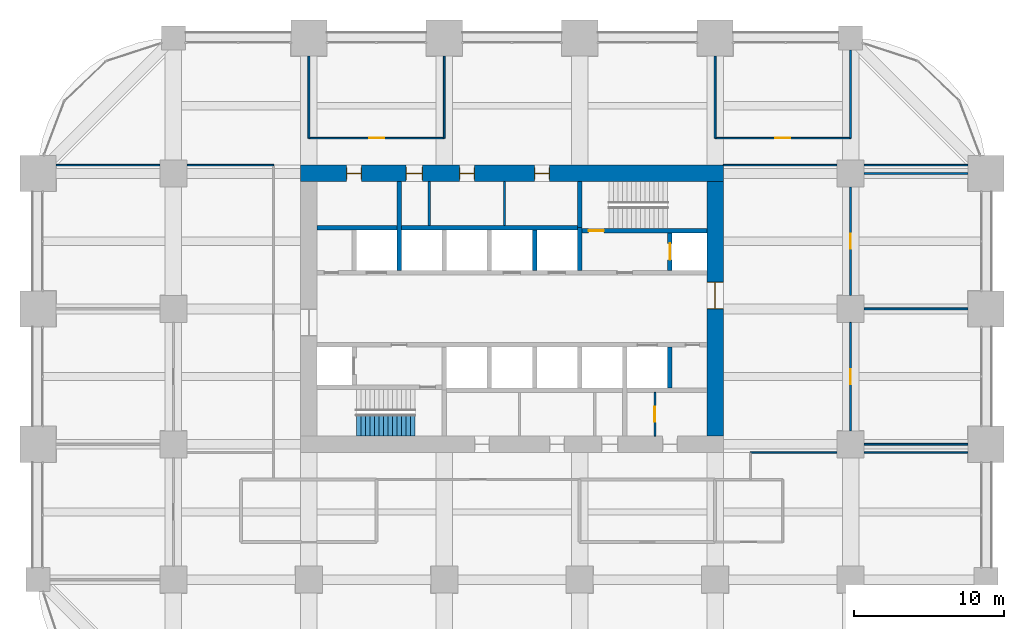
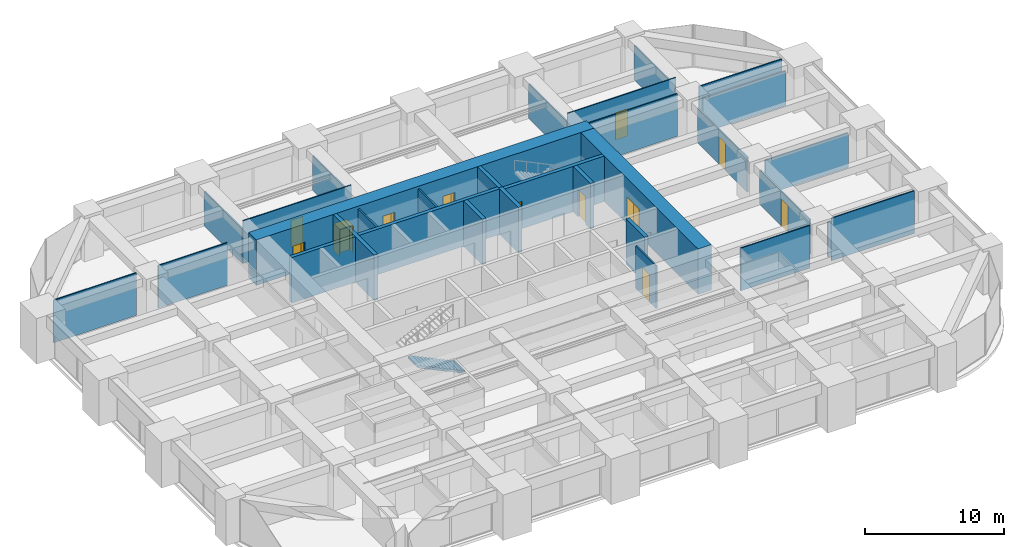
# One storey, part 38 of 40: 30 walls, 12 doors, 1 stair flight, 12 openings, 1 element without a shape of its own.
"""IFC4 building model written with IfcOpenShell, lengths in metres."""

from ifc_helpers import new_model, si_unit, direction, frame, frame_2d, origin, place, context, subcontext, project, spatial, polyline, rectangle, outline, extrude, material, layer, layer_set, type_object, element, fill, aggregate, save


model = new_model("IFC4")

# Units and contexts
model_context = context("Model", 3, precision=1e-05, world=origin(), true_north=direction((0.0, 1.0)))
body_context = subcontext(model_context, "Body", "Model", "MODEL_VIEW")
ifc_project = project(units=[si_unit("LENGTHUNIT", "METRE"), si_unit("AREAUNIT", "SQUARE_METRE"), si_unit("VOLUMEUNIT", "CUBIC_METRE"), si_unit("PLANEANGLEUNIT", "RADIAN"), si_unit("MASSUNIT", "GRAM", prefix="KILO")], contexts=[model_context])

# Site, building, storey
site_placement = place(None, origin())
site = spatial("IfcSite", under=ifc_project, at=site_placement, CompositionType="ELEMENT")
building_placement = place(site_placement, origin())
building = spatial("IfcBuilding", under=site, at=building_placement, Name="Zorevar Civic Tower", CompositionType="ELEMENT")
storey_placement = place(building_placement, frame((0.0, 0.0, 129.0)))
storey = spatial("IfcBuildingStorey", under=building, at=storey_placement, Name="L31", CompositionType="ELEMENT", Elevation=129.0)

# Wall, openings, doors
ifc_material_1 = material(Name="Concrete C50/60", Category="concrete")
ifc_layer_1 = layer(ifc_material_1, 1.10009765625)
ifc_layer_set_1 = layer_set([ifc_layer_1], Name="Core wall 1100")
wall_type_1 = type_object("IfcWallType", Name="Core wall 1100", PredefinedType="SHEAR", material=ifc_layer_set_1)
wall_1_placement = place(storey_placement, frame((45.550048828125, 36.0, 0.0), z_axis=(0.0, 0.0, 1.0), x_axis=(-1.0, 0.0, 0.0)))
wall_1 = element("IfcWall", 1, at=wall_1_placement, inside=storey, type_object=wall_type_1, Name="Core wall N L31", PredefinedType="SHEAR", context=body_context, shape_type="SweptSolid", body=[
    extrude(rectangle(XDim=28.10009765625, YDim=1.10009765625, at=frame_2d((14.050048828125, 0.0))), origin(), (0.0, 0.0, 1.0), 4.0),
])
opening_1_placement = place(wall_1_placement, frame((11.550048828125, 0.0, 0.0)))
opening_1 = element("IfcOpeningElement", 2, at=opening_1_placement, cuts=wall_1, Name="Opening L31.07", PredefinedType="OPENING", context=body_context, shape_type="SweptSolid", body=[
    extrude(rectangle(XDim=1.0, YDim=2.39990234375, at=frame_2d((0.5, 1.199951171875))), frame((0.0, 0.56005859375, 0.0), z_axis=(0.0, -1.0, 0.0), x_axis=(1.0, 0.0, 0.0)), (0.0, 0.0, 1.0), 1.1201171875),
])
opening_2_placement = place(wall_1_placement, frame((16.550048828125, 0.0, 0.0)))
opening_2 = element("IfcOpeningElement", 3, at=opening_2_placement, cuts=wall_1, Name="Opening L31.08", PredefinedType="OPENING", context=body_context, shape_type="SweptSolid", body=[
    extrude(rectangle(XDim=1.0, YDim=2.39990234375, at=frame_2d((0.5, 1.199951171875))), frame((0.0, 0.56005859375, 0.0), z_axis=(0.0, -1.0, 0.0), x_axis=(1.0, 0.0, 0.0)), (0.0, 0.0, 1.0), 1.1201171875),
])
opening_3_placement = place(wall_1_placement, frame((20.0, 0.0, 0.0)))
opening_3 = element("IfcOpeningElement", 4, at=opening_3_placement, cuts=wall_1, Name="Opening L31.09", PredefinedType="OPENING", context=body_context, shape_type="SweptSolid", body=[
    extrude(rectangle(XDim=1.10009765625, YDim=2.39990234375, at=frame_2d((0.550048828125, 1.199951171875))), frame((0.0, 0.56005859375, 0.0), z_axis=(0.0, -1.0, 0.0), x_axis=(1.0, 0.0, 0.0)), (0.0, 0.0, 1.0), 1.1201171875),
])
opening_4_placement = place(wall_1_placement, frame((24.050048828125, 0.0, 0.0)))
opening_4 = element("IfcOpeningElement", 5, at=opening_4_placement, cuts=wall_1, Name="Opening L31.10", PredefinedType="OPENING", context=body_context, shape_type="SweptSolid", body=[
    extrude(rectangle(XDim=1.0, YDim=2.39990234375, at=frame_2d((0.5, 1.199951171875))), frame((0.0, 0.56005859375, 0.0), z_axis=(0.0, -1.0, 0.0), x_axis=(1.0, 0.0, 0.0)), (0.0, 0.0, 1.0), 1.1201171875),
])
ifc_material_2 = material(Name="Timber door set", Category="wood")
door_type_1 = type_object("IfcDoorType", Name="Door D1 1000x2400", OperationType="SINGLE_SWING_LEFT", PredefinedType="DOOR", material=ifc_material_2)
door_1_placement = place(opening_1_placement, origin())
door_1 = element("IfcDoor", 6, at=door_1_placement, inside=storey, type_object=door_type_1, Name="Door L31 06", OperationType="SINGLE_SWING_LEFT", OverallHeight=2.39990234375, OverallWidth=1.0, PredefinedType="DOOR", context=body_context, shape_type="SweptSolid", body=[
    extrude(rectangle(XDim=1.0, YDim=2.39990234375, at=frame_2d((0.5, 1.199951171875))), frame((0.0, 0.02490234375, 0.0), z_axis=(0.0, -1.0, 0.0), x_axis=(1.0, 0.0, 0.0)), (0.0, 0.0, 1.0), 0.050048828125),
    extrude(rectangle(XDim=0.04, YDim=2.39990234375, at=frame_2d((0.02001953125, 1.199951171875))), frame((0.0, 0.39990234375, 0.0), z_axis=(0.0, -1.0, 0.0), x_axis=(1.0, 0.0, 0.0)), (0.0, 0.0, 1.0), 0.800048828125),
    extrude(rectangle(XDim=0.04, YDim=2.39990234375, at=frame_2d((0.97998046875, 1.199951171875))), frame((0.0, 0.39990234375, 0.0), z_axis=(0.0, -1.0, 0.0), x_axis=(1.0, 0.0, 0.0)), (0.0, 0.0, 1.0), 0.800048828125),
    extrude(rectangle(XDim=1.0, YDim=0.04, at=frame_2d((0.5, 2.3798828125))), frame((0.0, 0.39990234375, 0.0), z_axis=(0.0, -1.0, 0.0), x_axis=(1.0, 0.0, 0.0)), (0.0, 0.0, 1.0), 0.800048828125),
])
fill(opening_1, door_1)
door_2_placement = place(opening_2_placement, origin())
door_2 = element("IfcDoor", 7, at=door_2_placement, inside=storey, type_object=door_type_1, Name="Door L31 07", OperationType="SINGLE_SWING_RIGHT", OverallHeight=2.39990234375, OverallWidth=1.0, PredefinedType="DOOR", context=body_context, shape_type="SweptSolid", body=[
    extrude(rectangle(XDim=1.0, YDim=2.39990234375, at=frame_2d((0.5, 1.199951171875))), frame((0.0, 0.02490234375, 0.0), z_axis=(0.0, -1.0, 0.0), x_axis=(1.0, 0.0, 0.0)), (0.0, 0.0, 1.0), 0.050048828125),
    extrude(rectangle(XDim=0.04, YDim=2.39990234375, at=frame_2d((0.02001953125, 1.199951171875))), frame((0.0, 0.39990234375, 0.0), z_axis=(0.0, -1.0, 0.0), x_axis=(1.0, 0.0, 0.0)), (0.0, 0.0, 1.0), 0.800048828125),
    extrude(rectangle(XDim=0.04, YDim=2.39990234375, at=frame_2d((0.97998046875, 1.199951171875))), frame((0.0, 0.39990234375, 0.0), z_axis=(0.0, -1.0, 0.0), x_axis=(1.0, 0.0, 0.0)), (0.0, 0.0, 1.0), 0.800048828125),
    extrude(rectangle(XDim=1.0, YDim=0.04, at=frame_2d((0.5, 2.3798828125))), frame((0.0, 0.39990234375, 0.0), z_axis=(0.0, -1.0, 0.0), x_axis=(1.0, 0.0, 0.0)), (0.0, 0.0, 1.0), 0.800048828125),
])
fill(opening_2, door_2)
door_3_placement = place(opening_4_placement, origin())
door_3 = element("IfcDoor", 8, at=door_3_placement, inside=storey, type_object=door_type_1, Name="Door L31 09", OperationType="SINGLE_SWING_RIGHT", OverallHeight=2.39990234375, OverallWidth=1.0, PredefinedType="DOOR", context=body_context, shape_type="SweptSolid", body=[
    extrude(rectangle(XDim=1.0, YDim=2.39990234375, at=frame_2d((0.5, 1.199951171875))), frame((0.0, 0.02490234375, 0.0), z_axis=(0.0, -1.0, 0.0), x_axis=(1.0, 0.0, 0.0)), (0.0, 0.0, 1.0), 0.050048828125),
    extrude(rectangle(XDim=0.04, YDim=2.39990234375, at=frame_2d((0.02001953125, 1.199951171875))), frame((0.0, 0.39990234375, 0.0), z_axis=(0.0, -1.0, 0.0), x_axis=(1.0, 0.0, 0.0)), (0.0, 0.0, 1.0), 0.800048828125),
    extrude(rectangle(XDim=0.04, YDim=2.39990234375, at=frame_2d((0.97998046875, 1.199951171875))), frame((0.0, 0.39990234375, 0.0), z_axis=(0.0, -1.0, 0.0), x_axis=(1.0, 0.0, 0.0)), (0.0, 0.0, 1.0), 0.800048828125),
    extrude(rectangle(XDim=1.0, YDim=0.04, at=frame_2d((0.5, 2.3798828125))), frame((0.0, 0.39990234375, 0.0), z_axis=(0.0, -1.0, 0.0), x_axis=(1.0, 0.0, 0.0)), (0.0, 0.0, 1.0), 0.800048828125),
])
fill(opening_4, door_3)
ifc_material_3 = material(Name="Timber door set", Category="wood")
door_type_2 = type_object("IfcDoorType", Name="Door D5 1100x2400", OperationType="SINGLE_SWING_LEFT", PredefinedType="DOOR", material=ifc_material_3)
door_4_placement = place(opening_3_placement, origin())
door_4 = element("IfcDoor", 9, at=door_4_placement, inside=storey, type_object=door_type_2, Name="Door L31 08", OperationType="SINGLE_SWING_RIGHT", OverallHeight=2.39990234375, OverallWidth=1.10009765625, PredefinedType="DOOR", context=body_context, shape_type="SweptSolid", body=[
    extrude(rectangle(XDim=1.10009765625, YDim=2.39990234375, at=frame_2d((0.550048828125, 1.199951171875))), frame((0.0, 0.02490234375, 0.0), z_axis=(0.0, -1.0, 0.0), x_axis=(1.0, 0.0, 0.0)), (0.0, 0.0, 1.0), 0.050048828125),
    extrude(rectangle(XDim=0.04, YDim=2.39990234375, at=frame_2d((0.02001953125, 1.199951171875))), frame((0.0, 0.43994140625, 0.0), z_axis=(0.0, -1.0, 0.0), x_axis=(1.0, 0.0, 0.0)), (0.0, 0.0, 1.0), 0.880126953125),
    extrude(rectangle(XDim=0.04, YDim=2.39990234375, at=frame_2d((1.080078125, 1.199951171875))), frame((0.0, 0.43994140625, 0.0), z_axis=(0.0, -1.0, 0.0), x_axis=(1.0, 0.0, 0.0)), (0.0, 0.0, 1.0), 0.880126953125),
    extrude(rectangle(XDim=1.10009765625, YDim=0.04, at=frame_2d((0.550048828125, 2.3798828125))), frame((0.0, 0.43994140625, 0.0), z_axis=(0.0, -1.0, 0.0), x_axis=(1.0, 0.0, 0.0)), (0.0, 0.0, 1.0), 0.880126953125),
])
fill(opening_3, door_4)

# Wall, opening, door
wall_2_placement = place(storey_placement, frame((45.0, 18.550048828125, 0.0), z_axis=(0.0, 0.0, 1.0), x_axis=(0.0, 1.0, 0.0)))
wall_2 = element("IfcWall", 10, at=wall_2_placement, inside=storey, type_object=wall_type_1, Name="Core wall E L31", PredefinedType="SHEAR", context=body_context, shape_type="SweptSolid", body=[
    extrude(rectangle(XDim=16.89990234375, YDim=1.10009765625, at=frame_2d((8.449951171875, 0.0))), origin(), (0.0, 0.0, 1.0), 4.0),
])
opening_5_placement = place(wall_2_placement, frame((8.449951171875, 0.0, 0.0)))
opening_5 = element("IfcOpeningElement", 11, at=opening_5_placement, cuts=wall_2, Name="Opening L31.02", PredefinedType="OPENING", context=body_context, shape_type="SweptSolid", body=[
    extrude(rectangle(XDim=1.800048828125, YDim=2.39990234375, at=frame_2d((0.89990234375, 1.199951171875))), frame((0.0, 0.56005859375, 0.0), z_axis=(0.0, -1.0, 0.0), x_axis=(1.0, 0.0, 0.0)), (0.0, 0.0, 1.0), 1.1201171875),
])
ifc_material_4 = material(Name="Steel door set", Category="steel")
door_type_3 = type_object("IfcDoorType", Name="Fire door FD2 1800x2400", OperationType="DOUBLE_DOOR_DOUBLE_SWING", PredefinedType="DOOR", material=ifc_material_4)
door_5_placement = place(opening_5_placement, origin())
door_5 = element("IfcDoor", 12, at=door_5_placement, inside=storey, type_object=door_type_3, Name="Door L31 01", OperationType="DOUBLE_DOOR_DOUBLE_SWING", OverallHeight=2.39990234375, OverallWidth=1.800048828125, PredefinedType="DOOR", context=body_context, shape_type="SweptSolid", body=[
    extrude(rectangle(XDim=1.800048828125, YDim=2.39990234375, at=frame_2d((0.89990234375, 1.199951171875))), frame((0.0, 0.030029296875, 0.0), z_axis=(0.0, -1.0, 0.0), x_axis=(1.0, 0.0, 0.0)), (0.0, 0.0, 1.0), 0.06005859375),
    extrude(rectangle(XDim=0.04, YDim=2.39990234375, at=frame_2d((0.02001953125, 1.199951171875))), frame((0.0, 0.5498046875, 0.0), z_axis=(0.0, -1.0, 0.0), x_axis=(1.0, 0.0, 0.0)), (0.0, 0.0, 1.0), 1.099609375),
    extrude(rectangle(XDim=0.04, YDim=2.39990234375, at=frame_2d((1.780029296875, 1.199951171875))), frame((0.0, 0.5498046875, 0.0), z_axis=(0.0, -1.0, 0.0), x_axis=(1.0, 0.0, 0.0)), (0.0, 0.0, 1.0), 1.099609375),
    extrude(rectangle(XDim=1.800048828125, YDim=0.04, at=frame_2d((0.89990234375, 2.3798828125))), frame((0.0, 0.5498046875, 0.0), z_axis=(0.0, -1.0, 0.0), x_axis=(1.0, 0.0, 0.0)), (0.0, 0.0, 1.0), 1.099609375),
])
fill(opening_5, door_5)

# Walls
ifc_material_5 = material(Name="Laminated glass in black aluminium frame", Category="aluminium")
ifc_layer_2 = layer(ifc_material_5, 0.10009765625)
ifc_layer_set_2 = layer_set([ifc_layer_2], Name="Glazed partition 100")
wall_type_2 = type_object("IfcWallType", Name="Glazed partition 100", PredefinedType="PARTITIONING", material=ifc_layer_set_2)
wall_3_placement = place(storey_placement, frame((47.35009765625, 17.449951171875, 0.0), z_axis=(0.0, 0.0, 1.0), x_axis=(1.0, 0.0, 0.0)))
element("IfcWall", 13, at=wall_3_placement, inside=storey, type_object=wall_type_2, Name="Glazed partition 100 L31", PredefinedType="PARTITIONING", context=body_context, shape_type="SweptSolid", body=[
    extrude(rectangle(XDim=5.75, YDim=0.10009765625, at=frame_2d((2.875, 0.0))), origin(), (0.0, 0.0, 1.0), 3.75),
])
for number, where, z_axis, x_axis, name in (
    (14, (54.89990234375, 17.449951171875, 0.0), (0.0, 0.0, 1.0), (1.0, 0.0, 0.0), "Glazed partition 100 L31"),
    (15, (1.199951171875, 36.550048828125, 0.0), (0.0, 0.0, 1.0), (1.0, 0.0, 0.0), "Glazed partition 100 L31"),
):
    element("IfcWall", number, at=place(storey_placement, frame(where, z_axis=z_axis, x_axis=x_axis)), inside=storey, type_object=wall_type_2, Name=name, PredefinedType="PARTITIONING", context=body_context, shape_type="SweptSolid", body=[
        extrude(rectangle(XDim=6.900146484375, YDim=0.10009765625, at=frame_2d((3.4501953125, 0.0))), origin(), (0.0, 0.0, 1.0), 3.75),
    ])
wall_4_placement = place(storey_placement, frame((9.89990234375, 36.550048828125, 0.0), z_axis=(0.0, 0.0, 1.0), x_axis=(1.0, 0.0, 0.0)))
element("IfcWall", 16, at=wall_4_placement, inside=storey, type_object=wall_type_2, Name="Glazed partition 100 L31", PredefinedType="PARTITIONING", context=body_context, shape_type="SweptSolid", body=[
    extrude(rectangle(XDim=5.75, YDim=0.10009765625, at=frame_2d((2.875, 0.0))), origin(), (0.0, 0.0, 1.0), 3.75),
])
wall_5_placement = place(storey_placement, frame((45.550048828125, 36.550048828125, 0.0), z_axis=(0.0, 0.0, 1.0), x_axis=(1.0, 0.0, 0.0)))
element("IfcWall", 17, at=wall_5_placement, inside=storey, type_object=wall_type_2, Name="Glazed partition 100 L31", PredefinedType="PARTITIONING", context=body_context, shape_type="SweptSolid", body=[
    extrude(rectangle(XDim=7.550048828125, YDim=0.10009765625, at=frame_2d((3.77490234375, 0.0))), origin(), (0.0, 0.0, 1.0), 3.75),
])
wall_6_placement = place(storey_placement, frame((54.89990234375, 36.550048828125, 0.0), z_axis=(0.0, 0.0, 1.0), x_axis=(1.0, 0.0, 0.0)))
element("IfcWall", 18, at=wall_6_placement, inside=storey, type_object=wall_type_2, Name="Glazed partition 100 L31", PredefinedType="PARTITIONING", context=body_context, shape_type="SweptSolid", body=[
    extrude(rectangle(XDim=6.900146484375, YDim=0.10009765625, at=frame_2d((3.4501953125, 0.0))), origin(), (0.0, 0.0, 1.0), 3.75),
])

# Wall, opening, door
wall_7_placement = place(storey_placement, frame((18.0, 38.35009765625, 0.0), z_axis=(0.0, 0.0, 1.0), x_axis=(1.0, 0.0, 0.0)))
wall_7 = element("IfcWall", 19, at=wall_7_placement, inside=storey, type_object=wall_type_2, Name="Glazed partition 100 L31", PredefinedType="PARTITIONING", context=body_context, shape_type="SweptSolid", body=[
    extrude(rectangle(XDim=9.0, YDim=0.10009765625, at=frame_2d((4.5, 0.0))), origin(), (0.0, 0.0, 1.0), 3.75),
])
opening_6_placement = place(wall_7_placement, frame((4.0, 0.0, 0.0)))
opening_6 = element("IfcOpeningElement", 20, at=opening_6_placement, cuts=wall_7, Name="Opening L31.31", PredefinedType="OPENING", context=body_context, shape_type="SweptSolid", body=[
    extrude(rectangle(XDim=1.0, YDim=2.39990234375, at=frame_2d((0.5, 1.199951171875))), frame((0.0, 0.06005859375, 0.0), z_axis=(0.0, -1.0, 0.0), x_axis=(1.0, 0.0, 0.0)), (0.0, 0.0, 1.0), 0.1201171875),
])
ifc_material_6 = material(Name="Timber door set", Category="wood")
door_type_4 = type_object("IfcDoorType", Name="Glazed door GD1 1000x2400", OperationType="SINGLE_SWING_LEFT", PredefinedType="DOOR", material=ifc_material_6)
door_6_placement = place(opening_6_placement, origin())
door_6 = element("IfcDoor", 21, at=door_6_placement, inside=storey, type_object=door_type_4, Name="Door L31 D1", OperationType="SINGLE_SWING_LEFT", OverallHeight=2.39990234375, OverallWidth=1.0, PredefinedType="DOOR", context=body_context, shape_type="SweptSolid", body=[
    extrude(rectangle(XDim=1.0, YDim=2.39990234375, at=frame_2d((0.5, 1.199951171875))), frame((0.0, 0.02001953125, 0.0), z_axis=(0.0, -1.0, 0.0), x_axis=(1.0, 0.0, 0.0)), (0.0, 0.0, 1.0), 0.0400390625),
])
fill(opening_6, door_6)

wall_8_placement = place(storey_placement, frame((45.0, 38.35009765625, 0.0), z_axis=(0.0, 0.0, 1.0), x_axis=(1.0, 0.0, 0.0)))
wall_8 = element("IfcWall", 22, at=wall_8_placement, inside=storey, type_object=wall_type_2, Name="Glazed partition 100 L31", PredefinedType="PARTITIONING", context=body_context, shape_type="SweptSolid", body=[
    extrude(rectangle(XDim=9.0, YDim=0.10009765625, at=frame_2d((4.5, 0.0))), origin(), (0.0, 0.0, 1.0), 3.75),
])
opening_7_placement = place(wall_8_placement, frame((4.0, 0.0, 0.0)))
opening_7 = element("IfcOpeningElement", 23, at=opening_7_placement, cuts=wall_8, Name="Opening L31.32", PredefinedType="OPENING", context=body_context, shape_type="SweptSolid", body=[
    extrude(rectangle(XDim=1.0, YDim=2.39990234375, at=frame_2d((0.5, 1.199951171875))), frame((0.0, 0.06005859375, 0.0), z_axis=(0.0, -1.0, 0.0), x_axis=(1.0, 0.0, 0.0)), (0.0, 0.0, 1.0), 0.1201171875),
])
door_7_placement = place(opening_7_placement, origin())
door_7 = element("IfcDoor", 24, at=door_7_placement, inside=storey, type_object=door_type_4, Name="Door L31 D1", OperationType="SINGLE_SWING_RIGHT", OverallHeight=2.39990234375, OverallWidth=1.0, PredefinedType="DOOR", context=body_context, shape_type="SweptSolid", body=[
    extrude(rectangle(XDim=1.0, YDim=2.39990234375, at=frame_2d((0.5, 1.199951171875))), frame((0.0, 0.02001953125, 0.0), z_axis=(0.0, -1.0, 0.0), x_axis=(1.0, 0.0, 0.0)), (0.0, 0.0, 1.0), 0.0400390625),
])
fill(opening_7, door_7)

ifc_material_7 = material(Name="Concrete C40/50", Category="concrete")
ifc_layer_3 = layer(ifc_material_7, 0.300048828125)
ifc_layer_set_3 = layer_set([ifc_layer_3], Name="Inner core wall 300")
wall_type_3 = type_object("IfcWallType", Name="Inner core wall 300", PredefinedType="SHEAR", material=ifc_layer_set_3)
wall_9_placement = place(storey_placement, frame((36.14990234375, 32.199951171875, 0.0), z_axis=(0.0, 0.0, 1.0), x_axis=(1.0, 0.0, 0.0)))
wall_9 = element("IfcWall", 25, at=wall_9_placement, inside=storey, type_object=wall_type_3, Name="Inner core wall N00 L31", PredefinedType="SHEAR", context=body_context, shape_type="SweptSolid", body=[
    extrude(rectangle(XDim=8.300048828125, YDim=0.300048828125, at=frame_2d((4.14990234375, 0.0))), origin(), (0.0, 0.0, 1.0), 4.0),
])
opening_8_placement = place(wall_9_placement, frame((0.449951171875, 0.0, 0.0)))
opening_8 = element("IfcOpeningElement", 26, at=opening_8_placement, cuts=wall_9, Name="Opening L31.12", PredefinedType="OPENING", context=body_context, shape_type="SweptSolid", body=[
    extrude(rectangle(XDim=1.0, YDim=2.39990234375, at=frame_2d((0.5, 1.199951171875))), frame((0.0, 0.159912109375, 0.0), z_axis=(0.0, -1.0, 0.0), x_axis=(1.0, 0.0, 0.0)), (0.0, 0.0, 1.0), 0.320068359375),
])
ifc_material_8 = material(Name="Steel door set", Category="steel")
door_type_5 = type_object("IfcDoorType", Name="Fire door FD1 1000x2400", OperationType="SINGLE_SWING_LEFT", PredefinedType="DOOR", material=ifc_material_8)
door_8_placement = place(opening_8_placement, origin())
door_8 = element("IfcDoor", 27, at=door_8_placement, inside=storey, type_object=door_type_5, Name="Door L31 11", OperationType="SINGLE_SWING_RIGHT", OverallHeight=2.39990234375, OverallWidth=1.0, PredefinedType="DOOR", context=body_context, shape_type="SweptSolid", body=[
    extrude(rectangle(XDim=1.0, YDim=2.39990234375, at=frame_2d((0.5, 1.199951171875))), frame((0.0, 0.030029296875, 0.0), z_axis=(0.0, -1.0, 0.0), x_axis=(1.0, 0.0, 0.0)), (0.0, 0.0, 1.0), 0.06005859375),
])
fill(opening_8, door_8)

# Wall
wall_10_placement = place(storey_placement, frame((36.0, 32.39990234375, 0.0), z_axis=(0.0, 0.0, 1.0), x_axis=(0.0, 1.0, 0.0)))
element("IfcWall", 28, at=wall_10_placement, inside=storey, type_object=wall_type_3, Name="Inner core wall N01 L31", PredefinedType="SHEAR", context=body_context, shape_type="SweptSolid", body=[
    extrude(rectangle(XDim=3.050048828125, YDim=0.300048828125, at=frame_2d((1.52490234375, 0.0))), origin(), (0.0, 0.0, 1.0), 4.0),
])

# Wall, opening, door
wall_11_placement = place(storey_placement, frame((42.0, 29.550048828125, 0.0), z_axis=(0.0, 0.0, 1.0), x_axis=(0.0, 1.0, 0.0)))
wall_11 = element("IfcWall", 29, at=wall_11_placement, inside=storey, type_object=wall_type_3, Name="Inner core wall N02 L31", PredefinedType="SHEAR", context=body_context, shape_type="SweptSolid", body=[
    extrude(rectangle(XDim=2.5, YDim=0.300048828125, at=frame_2d((1.25, 0.0))), origin(), (0.0, 0.0, 1.0), 4.0),
])
opening_9_placement = place(wall_11_placement, frame((0.699951171875, 0.0, 0.0)))
opening_9 = element("IfcOpeningElement", 30, at=opening_9_placement, cuts=wall_11, Name="Opening L31.FL2", PredefinedType="OPENING", context=body_context, shape_type="SweptSolid", body=[
    extrude(rectangle(XDim=1.10009765625, YDim=2.39990234375, at=frame_2d((0.550048828125, 1.199951171875))), frame((0.0, 0.159912109375, 0.0), z_axis=(0.0, -1.0, 0.0), x_axis=(1.0, 0.0, 0.0)), (0.0, 0.0, 1.0), 0.320068359375),
])
ifc_material_9 = material(Name="Steel door set", Category="steel")
door_type_6 = type_object("IfcDoorType", Name="Firefighting lift landing door LD3 1100x2400", OperationType="DOUBLE_DOOR_SLIDING", PredefinedType="DOOR", material=ifc_material_9)
door_9_placement = place(opening_9_placement, origin())
door_9 = element("IfcDoor", 31, at=door_9_placement, inside=storey, type_object=door_type_6, Name="Landing door FL2 L31", OperationType="DOUBLE_DOOR_SLIDING", OverallHeight=2.39990234375, OverallWidth=1.10009765625, PredefinedType="DOOR", context=body_context, shape_type="SweptSolid", body=[
    extrude(rectangle(XDim=1.10009765625, YDim=2.39990234375, at=frame_2d((0.550048828125, 1.199951171875))), frame((0.0, 0.030029296875, 0.0), z_axis=(0.0, -1.0, 0.0), x_axis=(1.0, 0.0, 0.0)), (0.0, 0.0, 1.0), 0.06005859375),
])
fill(opening_9, door_9)

# Walls
wall_12_placement = place(storey_placement, frame((18.550048828125, 32.39990234375, 0.0), z_axis=(0.0, 0.0, 1.0), x_axis=(1.0, 0.0, 0.0)))
element("IfcWall", 32, at=wall_12_placement, inside=storey, type_object=wall_type_3, Name="Inner core wall N04 L31", PredefinedType="SHEAR", context=body_context, shape_type="SweptSolid", body=[
    extrude(rectangle(XDim=17.300048828125, YDim=0.300048828125, at=frame_2d((8.64990234375, 0.0))), origin(), (0.0, 0.0, 1.0), 4.0),
])
wall_13_placement = place(storey_placement, frame((33.0, 29.550048828125, 0.0), z_axis=(0.0, 0.0, 1.0), x_axis=(0.0, 1.0, 0.0)))
element("IfcWall", 33, at=wall_13_placement, inside=storey, type_object=wall_type_3, Name="Inner core wall N05 L31", PredefinedType="SHEAR", context=body_context, shape_type="SweptSolid", body=[
    extrude(rectangle(XDim=2.699951171875, YDim=0.300048828125, at=frame_2d((1.35009765625, 0.0))), origin(), (0.0, 0.0, 1.0), 4.0),
])
wall_14_placement = place(storey_placement, frame((24.0, 29.550048828125, 0.0), z_axis=(0.0, 0.0, 1.0), x_axis=(0.0, 1.0, 0.0)))
element("IfcWall", 34, at=wall_14_placement, inside=storey, type_object=wall_type_3, Name="Inner core wall N08 L31", PredefinedType="SHEAR", context=body_context, shape_type="SweptSolid", body=[
    extrude(rectangle(XDim=5.89990234375, YDim=0.300048828125, at=frame_2d((2.949951171875, 0.0))), origin(), (0.0, 0.0, 1.0), 4.0),
])
wall_15_placement = place(storey_placement, frame((42.0, 21.75, 0.0), z_axis=(0.0, 0.0, 1.0), x_axis=(0.0, 1.0, 0.0)))
element("IfcWall", 35, at=wall_15_placement, inside=storey, type_object=wall_type_3, Name="Inner core wall S09 L31", PredefinedType="SHEAR", context=body_context, shape_type="SweptSolid", body=[
    extrude(rectangle(XDim=2.699951171875, YDim=0.300048828125, at=frame_2d((1.35009765625, 0.0))), origin(), (0.0, 0.0, 1.0), 4.0),
])
wall_16_placement = place(storey_placement, frame((36.0, 29.550048828125, 0.0), z_axis=(0.0, 0.0, 1.0), x_axis=(0.0, 1.0, 0.0)))
element("IfcWall", 36, at=wall_16_placement, inside=storey, type_object=wall_type_3, Name="Inner core wall N10 L31", PredefinedType="SHEAR", context=body_context, shape_type="SweptSolid", body=[
    extrude(rectangle(XDim=2.849853515625, YDim=0.300048828125, at=frame_2d((1.4248046875, 0.0))), origin(), (0.0, 0.0, 1.0), 4.0),
])
ifc_material_10 = material(Name="Gypsum board on steel studs", Category="steel")
ifc_layer_4 = layer(ifc_material_10, 0.1201171875)
ifc_layer_set_4 = layer_set([ifc_layer_4], Name="Partition 120")
wall_type_4 = type_object("IfcWallType", Name="Partition 120", PredefinedType="PARTITIONING", material=ifc_layer_set_4)
for number, where, z_axis, x_axis, name in (
    (37, (54.89990234375, 18.0, 0.0), (0.0, 0.0, 1.0), (1.0, 0.0, 0.0), "Partition 120 L31"),
    (38, (54.89990234375, 27.0, 0.0), (0.0, 0.0, 1.0), (1.0, 0.0, 0.0), "Partition 120 L31"),
    (39, (54.89990234375, 36.0, 0.0), (0.0, 0.0, 1.0), (1.0, 0.0, 0.0), "Partition 120 L31"),
):
    element("IfcWall", number, at=place(storey_placement, frame(where, z_axis=z_axis, x_axis=x_axis)), inside=storey, type_object=wall_type_4, Name=name, PredefinedType="PARTITIONING", context=body_context, shape_type="SweptSolid", body=[
        extrude(rectangle(XDim=6.900146484375, YDim=0.1201171875, at=frame_2d((3.4501953125, 0.0))), origin(), (0.0, 0.0, 1.0), 3.050048828125),
    ])
for number, where, z_axis, x_axis, name in (
    (40, (18.0, 38.35009765625, 0.0), (0.0, 0.0, 1.0), (0.0, 1.0, 0.0), "Partition 120 L31"),
    (41, (27.0, 38.35009765625, 0.0), (0.0, 0.0, 1.0), (0.0, 1.0, 0.0), "Partition 120 L31"),
    (42, (45.0, 38.35009765625, 0.0), (0.0, 0.0, 1.0), (0.0, 1.0, 0.0), "Partition 120 L31"),
):
    element("IfcWall", number, at=place(storey_placement, frame(where, z_axis=z_axis, x_axis=x_axis)), inside=storey, type_object=wall_type_4, Name=name, PredefinedType="PARTITIONING", context=body_context, shape_type="SweptSolid", body=[
        extrude(rectangle(XDim=5.449951171875, YDim=0.1201171875, at=frame_2d((2.72509765625, 0.0))), origin(), (0.0, 0.0, 1.0), 3.050048828125),
    ])

# Wall, opening, door
wall_17_placement = place(storey_placement, frame((54.0, 18.89990234375, 0.0), z_axis=(0.0, 0.0, 1.0), x_axis=(0.0, 1.0, 0.0)))
wall_17 = element("IfcWall", 43, at=wall_17_placement, inside=storey, type_object=wall_type_4, Name="Partition 120 L31", PredefinedType="PARTITIONING", context=body_context, shape_type="SweptSolid", body=[
    extrude(rectangle(XDim=7.2001953125, YDim=0.1201171875, at=frame_2d((3.60009765625, 0.0))), origin(), (0.0, 0.0, 1.0), 3.050048828125),
])
opening_10_placement = place(wall_17_placement, frame((3.10009765625, 0.0, 0.0)))
opening_10 = element("IfcOpeningElement", 44, at=opening_10_placement, cuts=wall_17, Name="Opening L31.36", PredefinedType="OPENING", context=body_context, shape_type="SweptSolid", body=[
    extrude(rectangle(XDim=1.0, YDim=2.39990234375, at=frame_2d((0.5, 1.199951171875))), frame((0.0, 0.070068359375, 0.0), z_axis=(0.0, -1.0, 0.0), x_axis=(1.0, 0.0, 0.0)), (0.0, 0.0, 1.0), 0.14013671875),
])
door_10_placement = place(opening_10_placement, origin())
door_10 = element("IfcDoor", 45, at=door_10_placement, inside=storey, type_object=door_type_1, Name="Door L31 D1", OperationType="SINGLE_SWING_LEFT", OverallHeight=2.39990234375, OverallWidth=1.0, PredefinedType="DOOR", context=body_context, shape_type="SweptSolid", body=[
    extrude(rectangle(XDim=1.0, YDim=2.39990234375, at=frame_2d((0.5, 1.199951171875))), frame((0.0, 0.02490234375, 0.0), z_axis=(0.0, -1.0, 0.0), x_axis=(1.0, 0.0, 0.0)), (0.0, 0.0, 1.0), 0.050048828125),
])
fill(opening_10, door_10)

wall_18_placement = place(storey_placement, frame((54.0, 27.89990234375, 0.0), z_axis=(0.0, 0.0, 1.0), x_axis=(0.0, 1.0, 0.0)))
wall_18 = element("IfcWall", 46, at=wall_18_placement, inside=storey, type_object=wall_type_4, Name="Partition 120 L31", PredefinedType="PARTITIONING", context=body_context, shape_type="SweptSolid", body=[
    extrude(rectangle(XDim=7.2001953125, YDim=0.1201171875, at=frame_2d((3.60009765625, 0.0))), origin(), (0.0, 0.0, 1.0), 3.050048828125),
])
opening_11_placement = place(wall_18_placement, frame((3.10009765625, 0.0, 0.0)))
opening_11 = element("IfcOpeningElement", 47, at=opening_11_placement, cuts=wall_18, Name="Opening L31.37", PredefinedType="OPENING", context=body_context, shape_type="SweptSolid", body=[
    extrude(rectangle(XDim=1.0, YDim=2.39990234375, at=frame_2d((0.5, 1.199951171875))), frame((0.0, 0.070068359375, 0.0), z_axis=(0.0, -1.0, 0.0), x_axis=(1.0, 0.0, 0.0)), (0.0, 0.0, 1.0), 0.14013671875),
])
door_11_placement = place(opening_11_placement, origin())
door_11 = element("IfcDoor", 48, at=door_11_placement, inside=storey, type_object=door_type_1, Name="Door L31 D1", OperationType="SINGLE_SWING_RIGHT", OverallHeight=2.39990234375, OverallWidth=1.0, PredefinedType="DOOR", context=body_context, shape_type="SweptSolid", body=[
    extrude(rectangle(XDim=1.0, YDim=2.39990234375, at=frame_2d((0.5, 1.199951171875))), frame((0.0, 0.02490234375, 0.0), z_axis=(0.0, -1.0, 0.0), x_axis=(1.0, 0.0, 0.0)), (0.0, 0.0, 1.0), 0.050048828125),
])
fill(opening_11, door_11)

# Wall
wall_19_placement = place(storey_placement, frame((54.0, 38.35009765625, 0.0), z_axis=(0.0, 0.0, 1.0), x_axis=(0.0, 1.0, 0.0)))
element("IfcWall", 49, at=wall_19_placement, inside=storey, type_object=wall_type_4, Name="Partition 120 L31", PredefinedType="PARTITIONING", context=body_context, shape_type="SweptSolid", body=[
    extrude(rectangle(XDim=5.849853515625, YDim=0.1201171875, at=frame_2d((2.9248046875, 0.0))), origin(), (0.0, 0.0, 1.0), 3.050048828125),
])

# Wall, opening, door
wall_20_placement = place(storey_placement, frame((41.0, 18.550048828125, 0.0), z_axis=(0.0, 0.0, 1.0), x_axis=(0.0, 1.0, 0.0)))
wall_20 = element("IfcWall", 50, at=wall_20_placement, inside=storey, type_object=wall_type_4, Name="Partition L31", PredefinedType="PARTITIONING", context=body_context, shape_type="SweptSolid", body=[
    extrude(rectangle(XDim=2.89990234375, YDim=0.1201171875, at=frame_2d((1.449951171875, 0.0))), origin(), (0.0, 0.0, 1.0), 3.75),
])
opening_12_placement = place(wall_20_placement, frame((0.949951171875, 0.0, 0.0)))
opening_12 = element("IfcOpeningElement", 51, at=opening_12_placement, cuts=wall_20, Name="Opening L31.38", PredefinedType="OPENING", context=body_context, shape_type="SweptSolid", body=[
    extrude(rectangle(XDim=1.0, YDim=2.39990234375, at=frame_2d((0.5, 1.199951171875))), frame((0.0, 0.070068359375, 0.0), z_axis=(0.0, -1.0, 0.0), x_axis=(1.0, 0.0, 0.0)), (0.0, 0.0, 1.0), 0.14013671875),
])
door_12_placement = place(opening_12_placement, origin())
door_12 = element("IfcDoor", 52, at=door_12_placement, inside=storey, type_object=door_type_5, Name="Door L31 ES", OperationType="SINGLE_SWING_RIGHT", OverallHeight=2.39990234375, OverallWidth=1.0, PredefinedType="DOOR", context=body_context, shape_type="SweptSolid", body=[
    extrude(rectangle(XDim=1.0, YDim=2.39990234375, at=frame_2d((0.5, 1.199951171875))), frame((0.0, 0.030029296875, 0.0), z_axis=(0.0, -1.0, 0.0), x_axis=(1.0, 0.0, 0.0)), (0.0, 0.0, 1.0), 0.06005859375),
])
fill(opening_12, door_12)

# Walls
ifc_material_11 = material(Name="Gypsum board on steel studs, moisture resistant", Category="steel")
ifc_layer_5 = layer(ifc_material_11, 0.14990234375)
ifc_layer_set_5 = layer_set([ifc_layer_5], Name="WC partition 150")
wall_type_5 = type_object("IfcWallType", Name="WC partition 150", PredefinedType="PARTITIONING", material=ifc_layer_set_5)
for number, where, z_axis, x_axis, name in (
    (53, (31.0, 32.550048828125, 0.0), (0.0, 0.0, 1.0), (0.0, 1.0, 0.0), "WC partition L31"),
    (54, (26.0, 32.550048828125, 0.0), (0.0, 0.0, 1.0), (0.0, 1.0, 0.0), "WC partition L31"),
):
    element("IfcWall", number, at=place(storey_placement, frame(where, z_axis=z_axis, x_axis=x_axis)), inside=storey, type_object=wall_type_5, Name=name, PredefinedType="PARTITIONING", context=body_context, shape_type="SweptSolid", body=[
        extrude(rectangle(XDim=2.89990234375, YDim=0.14990234375, at=frame_2d((1.449951171875, 0.0))), origin(), (0.0, 0.0, 1.0), 3.75),
    ])

# Stair, stair flight
ifc_material_12 = material(Name="Precast concrete C40/50", Category="concrete")
stair_type = type_object("IfcStairType", Name="Stair ST 28R", PredefinedType="HALF_TURN_STAIR", material=ifc_material_12)
stair_placement = place(storey_placement, origin())
stair = element("IfcStair", 55, at=stair_placement, inside=storey, type_object=stair_type, Name="Stair ST1 L31", PredefinedType="HALF_TURN_STAIR")
ifc_material_13 = material(Name="Precast concrete C40/50", Category="concrete")
stair_flight_type = type_object("IfcStairFlightType", Name="Stair flight", PredefinedType="STRAIGHT", material=ifc_material_13)
stair_flight_placement = place(storey_placement, frame((25.050048828125, 19.262451171875, 0.0), z_axis=(0.0, 0.0, 1.0), x_axis=(-1.0, 0.0, 0.0)))
stair_flight = element("IfcStairFlight", 56, at=stair_flight_placement, type_object=stair_flight_type, Name="ST1 flight 1", NumberOfRisers=14, NumberOfTreads=13, PredefinedType="STRAIGHT", RiserHeight=0.142857143, TreadLength=0.3, context=body_context, shape_type="SweptSolid", body=[
    extrude(outline(polyline([(0.0, 0.0), (0.0, 0.142822265625), (0.300048828125, 0.142822265625), (0.300048828125, 0.28564453125), (0.60009765625, 0.28564453125), (0.60009765625, 0.428466796875), (0.89990234375, 0.428466796875), (0.89990234375, 0.571533203125), (1.199951171875, 0.571533203125), (1.199951171875, 0.71435546875), (1.5, 0.71435546875), (1.5, 0.857177734375), (1.800048828125, 0.857177734375), (1.800048828125, 1.0), (2.10009765625, 1.0), (2.10009765625, 1.142822265625), (2.39990234375, 1.142822265625), (2.39990234375, 1.28564453125), (2.699951171875, 1.28564453125), (2.699951171875, 1.428466796875), (3.0, 1.428466796875), (3.0, 1.571533203125), (3.300048828125, 1.571533203125), (3.300048828125, 1.71435546875), (3.60009765625, 1.71435546875), (3.60009765625, 1.857177734375), (3.89990234375, 1.857177734375), (3.89990234375, 2.0), (3.89990234375, 1.691162109375), (0.3486328125, 0.0), (0.0, 0.0)])), frame((0.0, 0.71240234375, 0.0), z_axis=(0.0, -1.0, 0.0), x_axis=(1.0, 0.0, 0.0)), (0.0, 0.0, 1.0), 1.425048828125),
])
aggregate(stair, [stair_flight])

save(model, "model.ifc")
